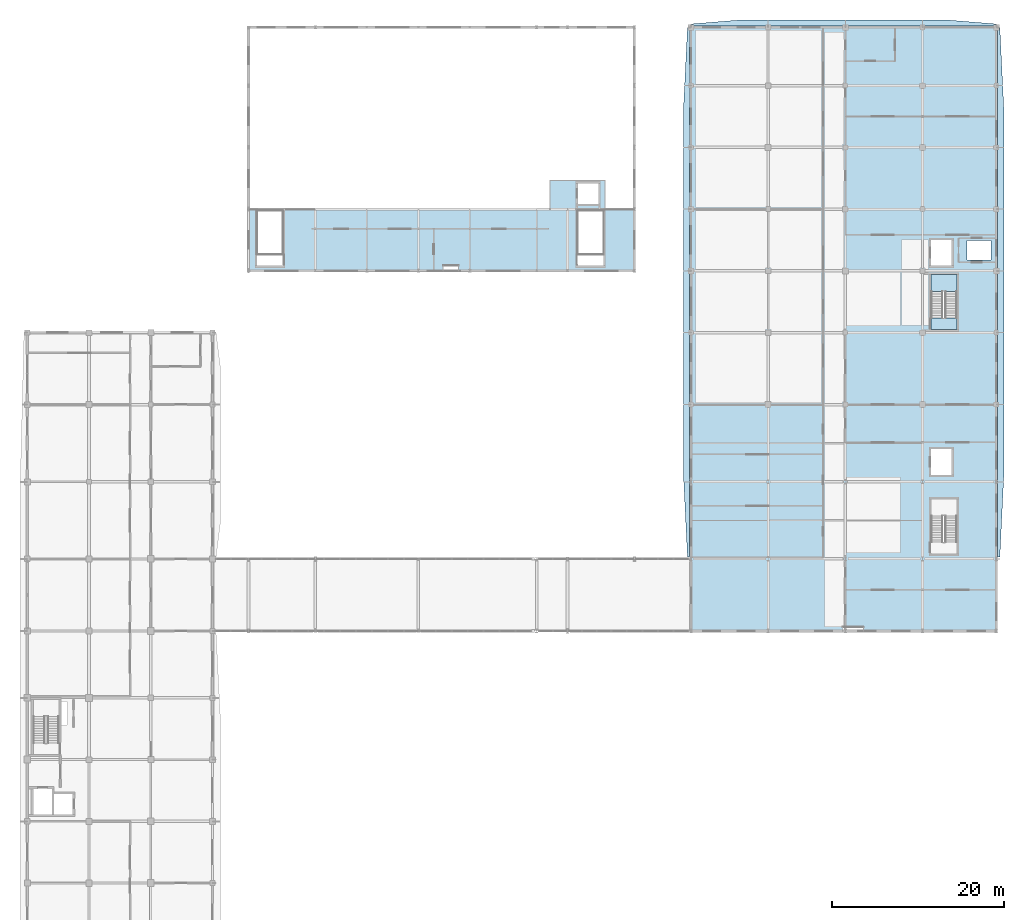
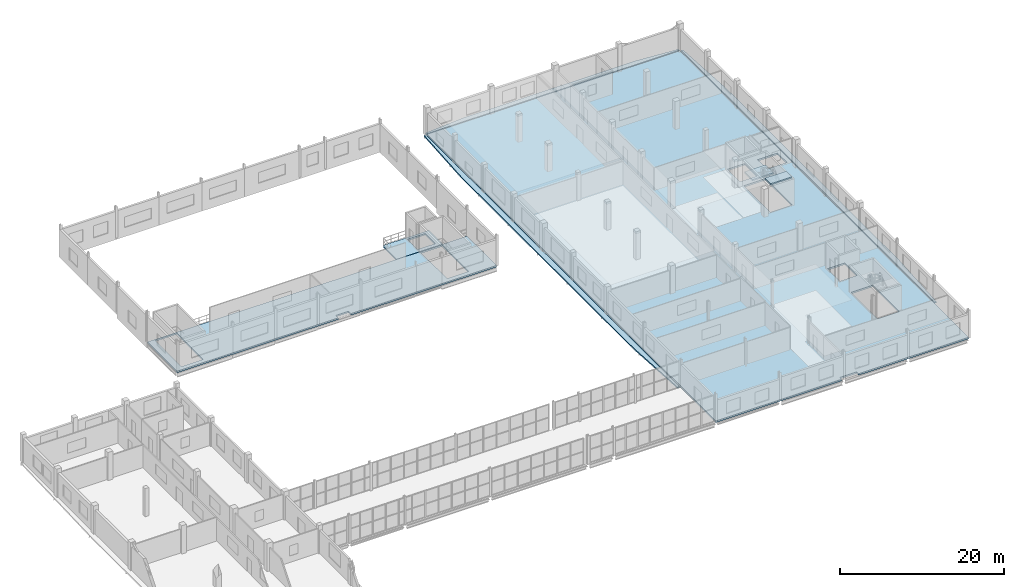
# One storey, part 87 of 121: 8 slabs, 1 element without a shape of its own.
"""IFC4 building model written with IfcOpenShell, lengths in metres."""

from ifc_helpers import new_model, si_unit, direction, frame, origin, place, context, subcontext, project, spatial, polyline, outline, extrude, material, layer, layer_set, type_object, element, aggregate, save


model = new_model("IFC4")

# Units and contexts
model_context = context("Model", 3, precision=1e-05, world=origin(), true_north=direction((0.0, 1.0)))
body_context = subcontext(model_context, "Body", "Model", "MODEL_VIEW")
ifc_project = project(units=[si_unit("LENGTHUNIT", "METRE"), si_unit("AREAUNIT", "SQUARE_METRE"), si_unit("VOLUMEUNIT", "CUBIC_METRE"), si_unit("PLANEANGLEUNIT", "RADIAN"), si_unit("MASSUNIT", "GRAM", prefix="KILO")], contexts=[model_context])

# Site, building, storey
site_placement = place(None, origin())
site = spatial("IfcSite", under=ifc_project, at=site_placement, CompositionType="ELEMENT")
building_placement = place(site_placement, origin())
building = spatial("IfcBuilding", under=site, at=building_placement, Name="Vinh Khe Railworks Police Headquarters", CompositionType="ELEMENT")
storey_placement = place(building_placement, frame((0.0, 0.0, 4.800048828125)))
storey = spatial("IfcBuildingStorey", under=building, at=storey_placement, Name="L01", CompositionType="ELEMENT", Elevation=4.800048828125)

# Slabs
ifc_material_1 = material(Name="Concrete C35/45 (B35)", Category="concrete")
ifc_layer_1 = layer(ifc_material_1, 0.199951171875)
ifc_layer_set_1 = layer_set([ifc_layer_1], Name="Concrete C35/45 (B35)")
slab_type_1 = type_object("IfcSlabType", Name="Flat Structural Roof Slab 200", PredefinedType="ROOF", material=ifc_layer_set_1)
slab_1_placement = place(storey_placement, frame((0.0, 0.0, -0.239990234375)))
element("IfcSlab", 1, at=slab_1_placement, inside=storey, type_object=slab_type_1, Name="Monsoon Window Eyebrow Hood V6W (L01)", PredefinedType="ROOF", context=body_context, shape_type="SweptSolid", body=[
    extrude(outline(polyline([(77.85009765625, 104.60009765625), (77.85009765625, 166.39990234375), (77.58740234375, 166.39990234375), (77.10009765625, 156.511962890625), (77.10009765625, 114.488037109375), (77.58740234375, 104.60009765625), (77.85009765625, 104.60009765625)])), origin(), (0.0, 0.0, 1.0), 0.199951171875),
])
slab_2_placement = place(storey_placement, frame((0.0, 0.0, -0.239990234375)))
element("IfcSlab", 2, at=slab_2_placement, inside=storey, type_object=slab_type_1, Name="Monsoon Window Eyebrow Hood V6E (L01)", PredefinedType="ROOF", context=body_context, shape_type="SweptSolid", body=[
    extrude(outline(polyline([(113.760009765625, 104.60009765625), (114.01904296875, 104.60009765625), (114.5, 114.488037109375), (114.5, 156.511962890625), (114.01904296875, 166.39990234375), (113.760009765625, 166.39990234375), (113.760009765625, 104.60009765625)])), origin(), (0.0, 0.0, 1.0), 0.199951171875),
])
slab_3_placement = place(storey_placement, frame((0.0, 0.0, -0.239990234375)))
element("IfcSlab", 3, at=slab_3_placement, inside=storey, type_object=slab_type_1, Name="Monsoon Window Eyebrow Hood V6N (L01)", PredefinedType="ROOF", context=body_context, shape_type="SweptSolid", body=[
    extrude(outline(polyline([(78.0, 166.5400390625), (113.60009765625, 166.5400390625), (113.60009765625, 166.78857421875), (107.904052734375, 167.25), (83.696044921875, 167.25), (78.0, 166.78857421875), (78.0, 166.5400390625)])), origin(), (0.0, 0.0, 1.0), 0.199951171875),
])

# Stair, slabs
ifc_material_2 = material(Name="Precast concrete C40/50 (B40)", Category="concrete")
stair_type = type_object("IfcStairType", Name="ST-CORE-DOGLEG", PredefinedType="HALF_TURN_STAIR", material=ifc_material_2)
stair_placement = place(storey_placement, origin())
stair = element("IfcStair", 4, at=stair_placement, inside=storey, type_object=stair_type, Name="L01 Escape Stair ST-03", PredefinedType="HALF_TURN_STAIR")
ifc_layer_2 = layer(ifc_material_1, 0.199951171875)
ifc_layer_set_2 = layer_set([ifc_layer_2], Name="Concrete C35/45 (B35)")
slab_type_2 = type_object("IfcSlabType", Name="SLB-LAND-200", PredefinedType="LANDING", material=ifc_layer_set_2)
slab_4_placement = place(storey_placement, frame((0.0, 0.0, 1.89990234375)))
slab_4 = element("IfcSlab", 5, at=slab_4_placement, type_object=slab_type_2, Name="ST-03 landing 1", PredefinedType="LANDING", context=body_context, shape_type="SweptSolid", body=[
    extrude(outline(polyline([(109.0, 135.580078125), (109.0, 137.550048828125), (106.0, 137.550048828125), (106.0, 135.580078125), (109.0, 135.580078125)])), origin(), (0.0, 0.0, 1.0), 0.199951171875),
])
slab_5_placement = place(storey_placement, frame((0.0, 0.0, 4.0)))
slab_5 = element("IfcSlab", 6, at=slab_5_placement, type_object=slab_type_2, Name="ST-03 landing 2", PredefinedType="LANDING", context=body_context, shape_type="SweptSolid", body=[
    extrude(outline(polyline([(105.97998046875, 131.1298828125), (109.02001953125, 131.1298828125), (109.02001953125, 132.510009765625), (105.97998046875, 132.510009765625), (105.97998046875, 131.1298828125)])), origin(), (0.0, 0.0, 1.0), 0.199951171875),
])
aggregate(stair, [slab_4, slab_5])

# Slabs
ifc_layer_3 = layer(ifc_material_1, 0.219970703125)
ifc_layer_set_3 = layer_set([ifc_layer_3], Name="Concrete C35/45 (B35)")
slab_type_3 = type_object("IfcSlabType", Name="SLB-LOBBY-220", PredefinedType="FLOOR", material=ifc_layer_set_3)
slab_6_placement = place(storey_placement, frame((0.0, 0.0, -0.239990234375)))
element("IfcSlab", 7, at=slab_6_placement, inside=storey, type_object=slab_type_3, Name="Core C6 Lift Lobby Mezzanine Extension Slab L01", PredefinedType="FLOOR", context=body_context, shape_type="SweptSolid", body=[
    extrude(outline(polyline([(61.5, 145.2099609375), (67.85009765625, 145.2099609375), (68.0, 145.360107421875), (68.0, 148.60009765625), (61.64990234375, 148.60009765625), (61.5, 148.449951171875), (61.5, 145.2099609375)]), holes=[polyline([(64.780029296875, 148.239990234375), (67.239990234375, 148.239990234375), (67.239990234375, 145.760009765625), (64.780029296875, 145.760009765625), (64.780029296875, 148.239990234375)])]), origin(), (0.0, 0.0, 1.0), 0.239990234375),
])
ifc_layer_4 = layer(ifc_material_1, 0.239990234375)
ifc_layer_set_4 = layer_set([ifc_layer_4], Name="Concrete C35/45 (B35)")
slab_type_4 = type_object("IfcSlabType", Name="Suspended Floor Slab 240", PredefinedType="FLOOR", material=ifc_layer_set_4)
slab_7_placement = place(storey_placement, frame((0.0, 0.0, -0.239990234375)))
element("IfcSlab", 8, at=slab_7_placement, inside=storey, type_object=slab_type_4, Name="V6 Floor Slab (L01)", PredefinedType="FLOOR", context=body_context, shape_type="SweptSolid", body=[
    extrude(outline(polyline([(78.0, 96.0), (95.699951171875, 96.0), (95.699951171875, 96.449951171875), (98.10009765625, 96.449951171875), (98.10009765625, 96.0), (113.60009765625, 96.0), (113.60009765625, 166.39990234375), (78.0, 166.39990234375), (78.0, 96.0)]), holes=[polyline([(105.969970703125, 131.1201171875), (109.030029296875, 131.1201171875), (109.030029296875, 137.580078125), (105.969970703125, 137.580078125), (105.969970703125, 131.1201171875)]), polyline([(105.97998046875, 138.580078125), (108.419921875, 138.580078125), (108.419921875, 141.6201171875), (105.97998046875, 141.6201171875), (105.97998046875, 138.580078125)]), polyline([(105.969970703125, 104.969970703125), (109.030029296875, 104.969970703125), (109.030029296875, 111.429931640625), (105.969970703125, 111.429931640625), (105.969970703125, 104.969970703125)]), polyline([(105.97998046875, 114.179931640625), (108.419921875, 114.179931640625), (108.419921875, 117.219970703125), (105.97998046875, 117.219970703125), (105.97998046875, 114.179931640625)]), polyline([(110.199951171875, 139.25), (113.0, 139.25), (113.0, 141.550048828125), (110.199951171875, 141.550048828125), (110.199951171875, 139.25)])]), origin(), (0.0, 0.0, 1.0), 0.239990234375),
])
slab_8_placement = place(storey_placement, frame((0.0, 0.0, -0.239990234375)))
element("IfcSlab", 9, at=slab_8_placement, inside=storey, type_object=slab_type_4, Name="V3 Floor Slab (L01)", PredefinedType="FLOOR", context=body_context, shape_type="SweptSolid", body=[
    extrude(outline(polyline([(26.39990234375, 138.0), (49.10009765625, 138.0), (49.10009765625, 138.60009765625), (50.89990234375, 138.60009765625), (50.89990234375, 138.0), (71.39990234375, 138.0), (71.39990234375, 145.199951171875), (26.39990234375, 145.199951171875), (26.39990234375, 138.0)]), holes=[polyline([(64.77001953125, 138.60009765625), (67.830078125, 138.60009765625), (67.830078125, 145.10009765625), (64.77001953125, 145.10009765625), (64.77001953125, 138.60009765625)]), polyline([(27.3701171875, 138.60009765625), (30.429931640625, 138.60009765625), (30.429931640625, 145.10009765625), (27.3701171875, 145.10009765625), (27.3701171875, 138.60009765625)])]), origin(), (0.0, 0.0, 1.0), 0.239990234375),
])

save(model, "model.ifc")
